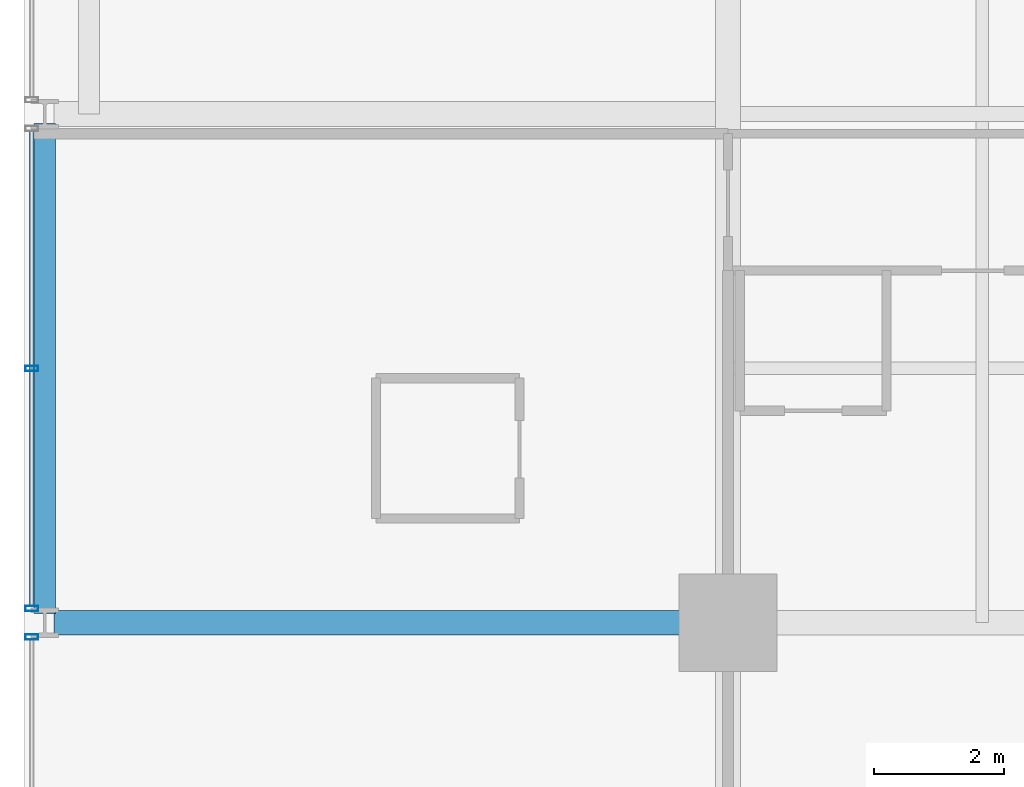
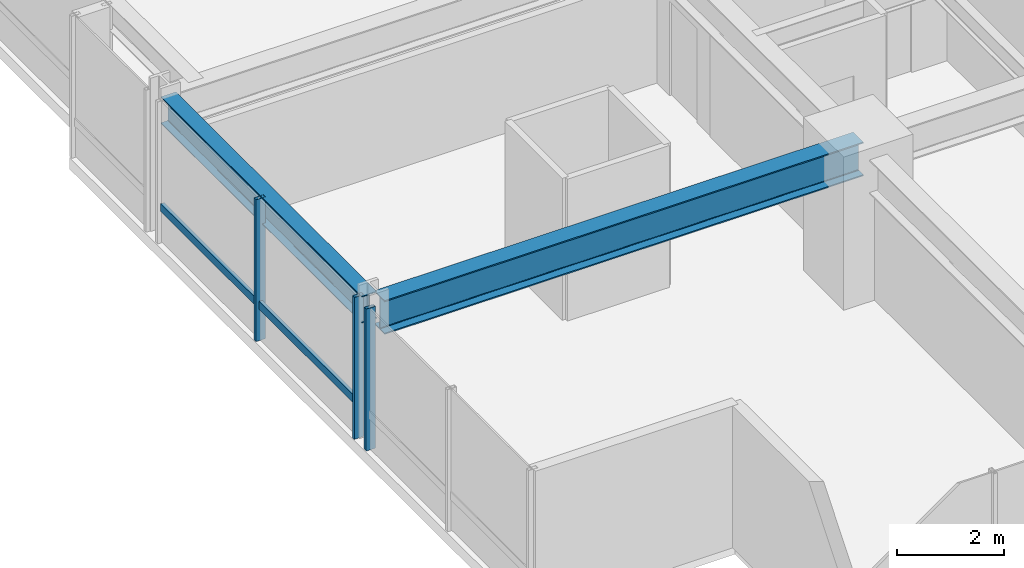
# One storey, part 4 of 34: 4 members, 2 beams, 2 elements without a shape of their own.
"""IFC4 building model written with IfcOpenShell, lengths in metres."""

from ifc_helpers import new_model, si_unit, direction, frame, origin, origin_2d, place, context, subcontext, project, spatial, hollow_rectangle, i_section, extrude, material, layer, layer_set, material_profile, profile_set, type_object, element, aggregate, save


model = new_model("IFC4")

# Units and contexts
model_context = context("Model", 3, precision=1e-05, world=origin(), true_north=direction((0.0, 1.0)))
body_context = subcontext(model_context, "Body", "Model", "MODEL_VIEW")
ifc_project = project(units=[si_unit("LENGTHUNIT", "METRE"), si_unit("AREAUNIT", "SQUARE_METRE"), si_unit("VOLUMEUNIT", "CUBIC_METRE"), si_unit("PLANEANGLEUNIT", "RADIAN"), si_unit("MASSUNIT", "GRAM", prefix="KILO")], contexts=[model_context])

# Site, building, storey
site_placement = place(None, origin())
site = spatial("IfcSite", under=ifc_project, at=site_placement, CompositionType="ELEMENT")
building_placement = place(site_placement, origin())
building = spatial("IfcBuilding", under=site, at=building_placement, Name="Drelvath Grand Hotel", CompositionType="ELEMENT")
storey_placement = place(building_placement, frame((0.0, 0.0, 91.800048828125)))
storey = spatial("IfcBuildingStorey", under=building, at=storey_placement, Name="L22", CompositionType="ELEMENT", Elevation=91.800048828125)

# Curtain wall, member
ifc_material_1 = material(Name="Champagne Bronze Anodised Aluminium Frame", Category="aluminium")
ifc_layer = layer(ifc_material_1, 0.199951171875)
ifc_layer_set = layer_set([ifc_layer], Name="Champagne Bronze Anodised Aluminium Frame")
curtain_wall_type = type_object("IfcCurtainWallType", Name="Stick Curtain Wall CW-03 Champagne Bronze Mid-Rise", PredefinedType="NOTDEFINED", material=ifc_layer_set)
curtain_wall_1_placement = place(storey_placement, origin())
curtain_wall_1 = element("IfcCurtainWall", 1, at=curtain_wall_1_placement, inside=storey, type_object=curtain_wall_type, Name="L22 CW-03 Curtain Wall CW03-L22-WS2", PredefinedType="NOTDEFINED")
ifc_material_profile_1 = material_profile(ifc_material_1, hollow_rectangle(XDim=0.074951171875, YDim=0.179931640625, WallThickness=0.0048828125, at=origin_2d()), Name="HSS180X75X5")
ifc_profile_set_1 = profile_set([ifc_material_profile_1], Name="Champagne Bronze Anodised Aluminium Frame")
member_type_1 = type_object("IfcMemberType", Name="Curtain Wall Horizontal Transom CW-03 HSS180X75X5", PredefinedType="USERDEFINED", material=ifc_profile_set_1)
member_1_placement = place(storey_placement, frame((-26.8798828125, 11.0595703125, 0.81005859375), z_axis=(0.0, 1.0, 0.0), x_axis=(-1.0, 0.0, 0.0)))
member_1 = element("IfcMember", 2, at=member_1_placement, type_object=member_type_1, Name="CW03-L22-WS2 Sill Transom", ObjectType="TRANSOM", PredefinedType="USERDEFINED", context=body_context, shape_type="SweptSolid", body=[
    extrude(hollow_rectangle(XDim=0.074951171875, YDim=0.179931640625, WallThickness=0.0048828125, at=origin_2d()), origin(), (0.0, 0.0, 1.0), 7.28076171875),
])

curtain_wall_2_placement = place(storey_placement, origin())
curtain_wall_2 = element("IfcCurtainWall", 3, at=curtain_wall_2_placement, inside=storey, type_object=curtain_wall_type, Name="L22 CW-03 Curtain Wall CW03-L22-WS1", PredefinedType="NOTDEFINED")
ifc_material_profile_2 = material_profile(ifc_material_1, hollow_rectangle(XDim=0.080078125, YDim=0.199951171875, WallThickness=0.0048828125, at=origin_2d()), Name="HSS200X80X5")
ifc_profile_set_2 = profile_set([ifc_material_profile_2], Name="Champagne Bronze Anodised Aluminium Frame")
member_type_2 = type_object("IfcMemberType", Name="Curtain Wall Vertical Mullion CW-03 HSS200X80X5", PredefinedType="MULLION", material=ifc_profile_set_2)
member_2_placement = place(storey_placement, frame((-26.8798828125, 10.580322265625, 0.0), z_axis=(0.0, 0.0, 1.0), x_axis=(0.0, 1.0, 0.0)))
member_2 = element("IfcMember", 4, at=member_2_placement, type_object=member_type_2, Name="CW03-L22-WS1 Mullion 3", PredefinedType="MULLION", context=body_context, shape_type="SweptSolid", body=[
    extrude(hollow_rectangle(XDim=0.080078125, YDim=0.199951171875, WallThickness=0.0048828125, at=origin_2d()), origin(), (0.0, 0.0, 1.0), 3.239990234375),
])
aggregate(curtain_wall_2, [member_2])

# Member
member_3_placement = place(storey_placement, frame((-26.8798828125, 11.01953125, 0.0), z_axis=(0.0, 0.0, 1.0), x_axis=(0.0, 1.0, 0.0)))
member_3 = element("IfcMember", 5, at=member_3_placement, type_object=member_type_2, Name="CW03-L22-WS2 Mullion 1", PredefinedType="MULLION", context=body_context, shape_type="SweptSolid", body=[
    extrude(hollow_rectangle(XDim=0.080078125, YDim=0.199951171875, WallThickness=0.0048828125, at=origin_2d()), origin(), (0.0, 0.0, 1.0), 3.239990234375),
])

member_4_placement = place(storey_placement, frame((-26.8798828125, 14.699951171875, 0.0), z_axis=(0.0, 0.0, 1.0), x_axis=(0.0, 1.0, 0.0)))
member_4 = element("IfcMember", 6, at=member_4_placement, type_object=member_type_2, Name="CW03-L22-WS2 Mullion 2", PredefinedType="MULLION", context=body_context, shape_type="SweptSolid", body=[
    extrude(hollow_rectangle(XDim=0.080078125, YDim=0.199951171875, WallThickness=0.0048828125, at=origin_2d()), origin(), (0.0, 0.0, 1.0), 3.239990234375),
])

aggregate(curtain_wall_1, [member_3, member_4, member_1])

# Beams
ifc_material_2 = material(Name="Steel ASTM A992 Gr 50", Category="steel")
ifc_material_profile_3 = material_profile(ifc_material_2, i_section(OverallWidth=0.323974609375, OverallDepth=0.611083984375, WebThickness=0.0126953125, FlangeThickness=0.01904296875, FilletRadius=0.02197265625, at=origin_2d()), Name="W24X104")
ifc_profile_set_3 = profile_set([ifc_material_profile_3], Name="Steel ASTM A992 Gr 50")
beam_type_1 = type_object("IfcBeamType", Name="Perimeter Spandrel Beam W24X104", PredefinedType="SPANDREL", material=ifc_profile_set_3)
beam_1_placement = place(storey_placement, frame((-26.679931640625, 10.93994140625, 2.9345703125), z_axis=(0.0, 1.0, 0.0), x_axis=(-1.0, 0.0, 0.0)))
element("IfcBeam", 7, at=beam_1_placement, inside=storey, type_object=beam_type_1, Name="L22 Spandrel West S", PredefinedType="SPANDREL", context=body_context, shape_type="SweptSolid", body=[
    extrude(i_section(OverallWidth=0.323974609375, OverallDepth=0.611083984375, WebThickness=0.0126953125, FlangeThickness=0.01904296875, FilletRadius=0.02197265625, at=origin_2d()), origin(), (0.0, 0.0, 1.0), 7.52001953125),
])
ifc_material_profile_4 = material_profile(ifc_material_2, i_section(OverallWidth=0.380615234375, OverallDepth=0.773193359375, WebThickness=0.0166015625, FlangeThickness=0.027099609375, FilletRadius=0.02490234375, at=origin_2d()), Name="W30X173")
ifc_profile_set_4 = profile_set([ifc_material_profile_4], Name="Steel ASTM A992 Gr 50")
beam_type_2 = type_object("IfcBeamType", Name="Primary Floor Girder W30X173", PredefinedType="BEAM", material=ifc_profile_set_4)
beam_2_placement = place(storey_placement, frame((-26.5400390625, 10.800048828125, 2.853271484375), z_axis=(1.0, 0.0, 0.0), x_axis=(0.0, 1.0, 0.0)))
element("IfcBeam", 8, at=beam_2_placement, inside=storey, type_object=beam_type_2, Name="L22 West Grid Girder C", PredefinedType="BEAM", context=body_context, shape_type="SweptSolid", body=[
    extrude(i_section(OverallWidth=0.380615234375, OverallDepth=0.773193359375, WebThickness=0.0166015625, FlangeThickness=0.027099609375, FilletRadius=0.02490234375, at=origin_2d()), origin(), (0.0, 0.0, 1.0), 10.340087890625),
])

save(model, "model.ifc")
